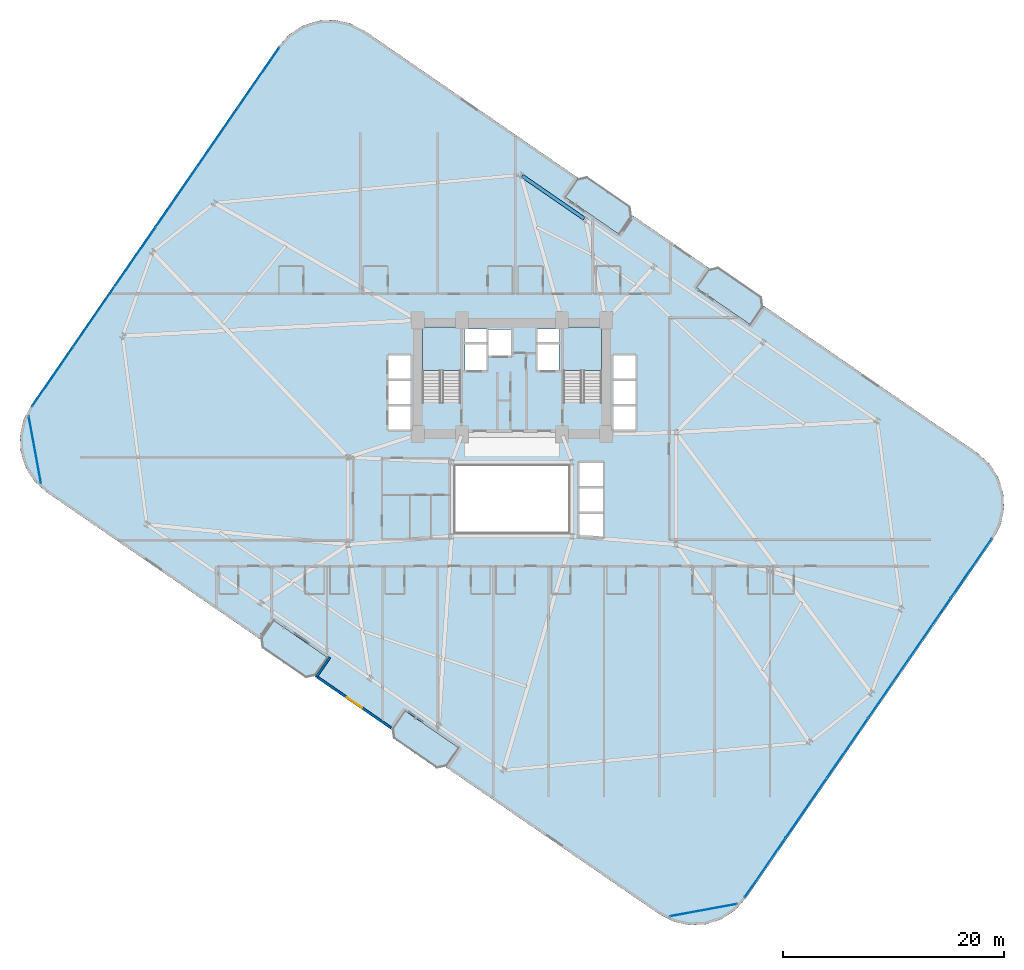
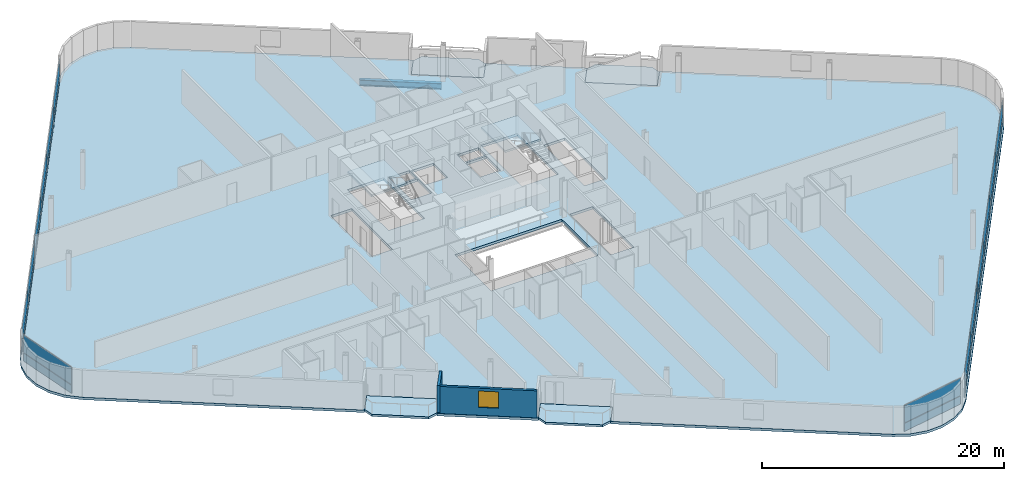
# One storey, part 18 of 27: 28 plates, 7 slabs, 2 walls, 1 beam, 1 window, 1 opening, 6 elements without a shape of their own.
"""IFC4 building model written with IfcOpenShell, lengths in metres."""

from ifc_helpers import new_model, si_unit, direction, frame, frame_2d, origin, origin_2d, place, context, subcontext, project, spatial, polyline, rectangle, i_section, outline, extrude, source, transform, mapped, material, layer, layer_set, material_profile, profile_set, type_object, element, fill, aggregate, save


model = new_model("IFC4")

# Units and contexts
model_context = context("Model", 3, precision=1e-05, world=origin(), true_north=direction((0.0, 1.0)))
body_context = subcontext(model_context, "Body", "Model", "MODEL_VIEW")
ifc_project = project(units=[si_unit("LENGTHUNIT", "METRE"), si_unit("AREAUNIT", "SQUARE_METRE"), si_unit("VOLUMEUNIT", "CUBIC_METRE"), si_unit("PLANEANGLEUNIT", "RADIAN"), si_unit("MASSUNIT", "GRAM", prefix="KILO")], contexts=[model_context])

# Site, building, storey
site_placement = place(None, origin())
site = spatial("IfcSite", under=ifc_project, at=site_placement, CompositionType="ELEMENT")
building_placement = place(site_placement, origin())
building = spatial("IfcBuilding", under=site, at=building_placement, Name="Varnelok Gate Tower", CompositionType="ELEMENT")
storey_placement = place(building_placement, frame((0.0, 0.0, 30.699951171875)))
storey = spatial("IfcBuildingStorey", under=building, at=storey_placement, Name="L06", CompositionType="ELEMENT", Elevation=30.699951171875)

# Beam
ifc_material_1 = material(Name="Structural Steel ASTM A992 Grade 50", Category="steel")
ifc_material_profile = material_profile(ifc_material_1, i_section(OverallWidth=0.323974609375, OverallDepth=0.611083984375, WebThickness=0.0126953125, FlangeThickness=0.01904296875, FilletRadius=0.01806640625, at=origin_2d()), Name="W24X104")
ifc_profile_set = profile_set([ifc_material_profile], Name="Structural Steel ASTM A992 Grade 50")
beam_type = type_object("IfcBeamType", Name="BM-SPN-W24X104", PredefinedType="SPANDREL", material=ifc_profile_set)
beam_placement = place(storey_placement, frame((45.708984375, 48.235107421875, -0.555419921875), z_axis=(-0.823553445566, 0.567238681947, 0.0), x_axis=(-0.567238681947, -0.823553445566, 0.0)))
element("IfcBeam", 1, at=beam_placement, inside=storey, type_object=beam_type, Name="L06 Perimeter Spandrel Beam 12", PredefinedType="SPANDREL", context=body_context, shape_type="SweptSolid", body=[
    extrude(i_section(OverallWidth=0.323974609375, OverallDepth=0.611083984375, WebThickness=0.0126953125, FlangeThickness=0.01904296875, FilletRadius=0.01806640625, at=origin_2d()), origin(), (0.0, 0.0, 1.0), 6.7998046875),
])

# Slabs
ifc_material_2 = material(Name="Concrete C45/55", Category="concrete")
ifc_layer_1 = layer(ifc_material_2, 0.219970703125)
ifc_layer_set_1 = layer_set([ifc_layer_1], Name="Concrete C45/55")
slab_type_1 = type_object("IfcSlabType", Name="SLB-BALC-220", PredefinedType="FLOOR", material=ifc_layer_set_1)
slab_1_placement = place(storey_placement, frame((0.0, 0.0, -0.219970703125)))
element("IfcSlab", 2, at=slab_1_placement, inside=storey, type_object=slab_type_1, Name="L06 South Hollow Balcony 1", PredefinedType="FLOOR", context=body_context, shape_type="SweptSolid", body=[
    extrude(outline(polyline([(16.5048828125, 10.3330078125), (16.67138671875, 9.42919921875), (20.5419921875, 6.762939453125), (21.446044921875, 6.929443359375), (22.58056640625, 8.57666015625), (17.639404296875, 11.980224609375), (16.5048828125, 10.3330078125)])), origin(), (0.0, 0.0, 1.0), 0.219970703125),
])
slab_2_placement = place(storey_placement, frame((0.0, 0.0, -0.219970703125)))
element("IfcSlab", 3, at=slab_2_placement, inside=storey, type_object=slab_type_1, Name="L06 South Hollow Balcony 2", PredefinedType="FLOOR", context=body_context, shape_type="SweptSolid", body=[
    extrude(outline(polyline([(28.36376953125, 2.164306640625), (28.5302734375, 1.260498046875), (32.40087890625, -1.40576171875), (33.304931640625, -1.2392578125), (34.439453125, 0.407958984375), (29.498291015625, 3.8115234375), (28.36376953125, 2.164306640625)])), origin(), (0.0, 0.0, 1.0), 0.219970703125),
])
slab_3_placement = place(storey_placement, frame((0.0, 0.0, -0.219970703125)))
element("IfcSlab", 4, at=slab_3_placement, inside=storey, type_object=slab_type_1, Name="L06 North Hollow Balcony 1", PredefinedType="FLOOR", context=body_context, shape_type="SweptSolid", body=[
    extrude(outline(polyline([(43.960693359375, 50.192138671875), (48.90185546875, 46.78857421875), (50.036376953125, 48.435546875), (49.869873046875, 49.339599609375), (45.999267578125, 52.005615234375), (45.09521484375, 51.839111328125), (43.960693359375, 50.192138671875)])), origin(), (0.0, 0.0, 1.0), 0.219970703125),
])
slab_4_placement = place(storey_placement, frame((0.0, 0.0, -0.219970703125)))
element("IfcSlab", 5, at=slab_4_placement, inside=storey, type_object=slab_type_1, Name="L06 North Hollow Balcony 2", PredefinedType="FLOOR", context=body_context, shape_type="SweptSolid", body=[
    extrude(outline(polyline([(55.819580078125, 42.0234375), (60.7607421875, 38.619873046875), (61.895263671875, 40.266845703125), (61.728515625, 41.1708984375), (57.85791015625, 43.837158203125), (56.9541015625, 43.67041015625), (55.819580078125, 42.0234375)])), origin(), (0.0, 0.0, 1.0), 0.219970703125),
])

# Stair, slab
ifc_material_3 = material(Name="Concrete C50/60", Category="concrete")
stair_type = type_object("IfcStairType", Name="STR-CORE-1650", PredefinedType="HALF_TURN_STAIR", material=ifc_material_3)
stair_1_placement = place(storey_placement, origin())
stair_1 = element("IfcStair", 6, at=stair_1_placement, inside=storey, type_object=stair_type, Name="L06 Exit Stair ST-1", PredefinedType="HALF_TURN_STAIR")
ifc_layer_2 = layer(ifc_material_2, 0.199951171875)
ifc_layer_set_2 = layer_set([ifc_layer_2], Name="Concrete C45/55")
slab_type_2 = type_object("IfcSlabType", Name="SLB-LAND-200", PredefinedType="LANDING", material=ifc_layer_set_2)
slab_5_placement = place(storey_placement, frame((0.0, 0.0, 1.650146484375)))
slab_5 = element("IfcSlab", 7, at=slab_5_placement, type_object=slab_type_2, Name="ST-1 landing 1", PredefinedType="LANDING", context=body_context, shape_type="SweptSolid", body=[
    extrude(outline(polyline([(34.550048828125, 34.5), (34.550048828125, 38.449951171875), (31.10009765625, 38.449951171875), (31.10009765625, 34.5), (34.550048828125, 34.5)])), origin(), (0.0, 0.0, 1.0), 0.199951171875),
])
aggregate(stair_1, [slab_5])

stair_2_placement = place(storey_placement, origin())
stair_2 = element("IfcStair", 8, at=stair_2_placement, inside=storey, type_object=stair_type, Name="L06 Exit Stair ST-2", PredefinedType="HALF_TURN_STAIR")
slab_6_placement = place(storey_placement, frame((0.0, 0.0, 1.650146484375)))
slab_6 = element("IfcSlab", 9, at=slab_6_placement, type_object=slab_type_2, Name="ST-2 landing 1", PredefinedType="LANDING", context=body_context, shape_type="SweptSolid", body=[
    extrude(outline(polyline([(47.300048828125, 34.5), (47.300048828125, 38.449951171875), (43.85009765625, 38.449951171875), (43.85009765625, 34.5), (47.300048828125, 34.5)])), origin(), (0.0, 0.0, 1.0), 0.199951171875),
])
aggregate(stair_2, [slab_6])

# Slab
ifc_layer_3 = layer(ifc_material_3, 0.25)
ifc_layer_set_3 = layer_set([ifc_layer_3], Name="Concrete C50/60")
slab_type_3 = type_object("IfcSlabType", Name="SLB-TYP-250", PredefinedType="FLOOR", material=ifc_layer_set_3)
slab_7_placement = place(storey_placement, frame((0.0, 0.0, -0.25)))
element("IfcSlab", 10, at=slab_7_placement, inside=storey, type_object=slab_type_3, Name="L06 Structural Floor Slab", PredefinedType="FLOOR", context=body_context, shape_type="SweptSolid", body=[
    extrude(outline(polyline([(-4.2578125, 31.3134765625), (-4.922607421875, 30.011474609375), (-5.22802734375, 28.581787109375), (-5.1533203125, 27.121826171875), (-4.702880859375, 25.731201171875), (-3.907958984375, 24.504150390625), (-2.822509765625, 23.52490234375), (7.7734375, 16.22607421875), (16.447998046875, 10.250732421875), (17.639404296875, 11.980224609375), (22.58056640625, 8.57666015625), (21.389404296875, 6.84716796875), (28.306884765625, 2.08203125), (29.498291015625, 3.8115234375), (34.439453125, 0.407958984375), (33.248046875, -1.321533203125), (41.922607421875, -7.296875), (52.518798828125, -14.595703125), (53.82080078125, -15.2607421875), (55.250244140625, -15.566162109375), (56.710205078125, -15.4912109375), (58.10107421875, -15.040771484375), (59.327880859375, -14.245849609375), (60.307373046875, -13.160400390625), (82.65771484375, 19.28662109375), (83.32275390625, 20.58837890625), (83.628173828125, 22.018310546875), (83.55322265625, 23.47802734375), (83.102783203125, 24.868896484375), (82.30810546875, 26.095703125), (81.22265625, 27.0751953125), (70.62646484375, 34.3740234375), (61.951904296875, 40.34912109375), (60.7607421875, 38.619873046875), (55.819580078125, 42.0234375), (57.0107421875, 43.752685546875), (50.093017578125, 48.517822265625), (48.90185546875, 46.78857421875), (43.960693359375, 50.192138671875), (45.15185546875, 51.92138671875), (36.477294921875, 57.896728515625), (25.881103515625, 65.195556640625), (24.579345703125, 65.860595703125), (23.149658203125, 66.166015625), (21.689697265625, 66.091064453125), (20.299072265625, 65.640869140625), (19.072021484375, 64.845947265625), (18.0927734375, 63.760498046875), (-4.2578125, 31.3134765625)]), holes=[polyline([(34.550048828125, 31.679931640625), (34.550048828125, 38.449951171875), (31.10009765625, 38.449951171875), (31.10009765625, 31.679931640625), (34.550048828125, 31.679931640625)]), polyline([(47.300048828125, 31.679931640625), (47.300048828125, 38.449951171875), (43.85009765625, 38.449951171875), (43.85009765625, 31.679931640625), (47.300048828125, 31.679931640625)]), polyline([(34.949951171875, 34.550048828125), (36.89990234375, 34.550048828125), (36.89990234375, 36.89990234375), (34.949951171875, 36.89990234375), (34.949951171875, 34.550048828125)]), polyline([(41.5, 34.550048828125), (43.449951171875, 34.550048828125), (43.449951171875, 36.89990234375), (41.5, 36.89990234375), (41.5, 34.550048828125)]), polyline([(37.050048828125, 35.85009765625), (39.14990234375, 35.85009765625), (39.14990234375, 38.199951171875), (37.050048828125, 38.199951171875), (37.050048828125, 35.85009765625)]), polyline([(28.050048828125, 29.14990234375), (30.050048828125, 29.14990234375), (30.050048828125, 35.89990234375), (28.050048828125, 35.89990234375), (28.050048828125, 29.14990234375)]), polyline([(48.35009765625, 29.14990234375), (50.35009765625, 29.14990234375), (50.35009765625, 35.89990234375), (48.35009765625, 35.89990234375), (48.35009765625, 29.14990234375)]), polyline([(45.25, 19.449951171875), (47.449951171875, 19.449951171875), (47.449951171875, 26.199951171875), (45.25, 26.199951171875), (45.25, 19.449951171875)]), polyline([(34.919921875, 37.080078125), (36.89990234375, 37.080078125), (36.89990234375, 38.280029296875), (34.919921875, 38.280029296875), (34.919921875, 37.080078125)]), polyline([(41.5, 37.080078125), (43.47998046875, 37.080078125), (43.47998046875, 38.280029296875), (41.5, 38.280029296875), (41.5, 37.080078125)]), polyline([(34.10009765625, 19.89990234375), (44.300048828125, 19.89990234375), (44.300048828125, 25.89990234375), (34.10009765625, 25.89990234375), (34.10009765625, 19.89990234375)])]), origin(), (0.0, 0.0, 1.0), 0.25),
])

# Curtain wall, plates
ifc_material_4 = material(Name="Anodized Aluminum Alloy 6063-T6", Category="aluminium")
ifc_layer_4 = layer(ifc_material_4, 0.179931640625)
ifc_layer_set_4 = layer_set([ifc_layer_4], Name="Anodized Aluminum Alloy 6063-T6")
curtain_wall_type_1 = type_object("IfcCurtainWallType", Name="CW3-HOTEL-VISION", PredefinedType="USERDEFINED", material=ifc_layer_set_4)
curtain_wall_1_placement = place(storey_placement, origin())
curtain_wall_1 = element("IfcCurtainWall", 11, at=curtain_wall_1_placement, inside=storey, type_object=curtain_wall_type_1, Name="L06 West End Vision Curtain Wall", ObjectType="UNITISED CURTAIN WALL", PredefinedType="USERDEFINED")
ifc_material_5 = material(Name="Low-E Laminated Double Glazing IGU", Category="glass")
ifc_layer_5 = layer(ifc_material_5, 0.031982421875)
ifc_layer_set_5 = layer_set([ifc_layer_5], Name="Low-E Laminated Double Glazing IGU")
plate_type_1 = type_object("IfcPlateType", Name="CW-PNL-IGU32", PredefinedType="CURTAIN_PANEL", material=ifc_layer_set_5)
shared_shape_1 = source(origin(), body_context, "Body", "SweptSolid", [
    extrude(rectangle(XDim=6.46923828125, YDim=0.031982421875, at=origin_2d()), origin(), (0.0, 0.0, 1.0), 0.802490234375),
])
plate_1_placement = place(storey_placement, frame((-2.270751953125, 33.951171875, 0.06494140625), z_axis=(0.0, 0.0, 1.0), x_axis=(0.567268822124, 0.823532685111, 0.0)))
plate_1 = element("IfcPlate", 12, at=plate_1_placement, type_object=plate_type_1, Name="CW3 panel 1.1", PredefinedType="CURTAIN_PANEL", context=body_context, shape_type="MappedRepresentation", body=[
    mapped(shared_shape_1, transform((0.0, 0.0, 0.0), scale=1.0)),
])
plate_2_placement = place(storey_placement, frame((16.336181640625, 60.9638671875, 0.06494140625), z_axis=(0.0, 0.0, 1.0), x_axis=(0.567268822124, 0.823532685111, 0.0)))
plate_2 = element("IfcPlate", 13, at=plate_2_placement, type_object=plate_type_1, Name="CW3 panel 6.1", PredefinedType="CURTAIN_PANEL", context=body_context, shape_type="MappedRepresentation", body=[
    mapped(shared_shape_1, transform((0.0, 0.0, 0.0), scale=1.0)),
])

curtain_wall_2_placement = place(storey_placement, origin())
curtain_wall_2 = element("IfcCurtainWall", 14, at=curtain_wall_2_placement, inside=storey, type_object=curtain_wall_type_1, Name="L06 East End Vision Curtain Wall", ObjectType="UNITISED CURTAIN WALL", PredefinedType="USERDEFINED")
plate_3_placement = place(storey_placement, frame((80.670654296875, 16.648681640625, 0.06494140625), z_axis=(0.0, 0.0, 1.0), x_axis=(-0.567268822124, -0.823532685111, 0.0)))
plate_3 = element("IfcPlate", 15, at=plate_3_placement, type_object=plate_type_1, Name="CW3 panel 1.1", PredefinedType="CURTAIN_PANEL", context=body_context, shape_type="MappedRepresentation", body=[
    mapped(shared_shape_1, transform((0.0, 0.0, 0.0), scale=1.0)),
])
plate_4_placement = place(storey_placement, frame((62.063720703125, -10.36376953125, 0.06494140625), z_axis=(0.0, 0.0, 1.0), x_axis=(-0.567268822124, -0.823532685111, 0.0)))
plate_4 = element("IfcPlate", 16, at=plate_4_placement, type_object=plate_type_1, Name="CW3 panel 6.1", PredefinedType="CURTAIN_PANEL", context=body_context, shape_type="MappedRepresentation", body=[
    mapped(shared_shape_1, transform((0.0, 0.0, 0.0), scale=1.0)),
])

# Plate
shared_shape_2 = source(origin(), body_context, "Body", "SweptSolid", [
    extrude(rectangle(XDim=6.46923828125, YDim=0.031982421875, at=origin_2d()), origin(), (0.0, 0.0, 1.0), 1.732421875),
])
plate_5_placement = place(storey_placement, frame((-2.270751953125, 33.951171875, 0.9326171875), z_axis=(0.0, 0.0, 1.0), x_axis=(0.567268822124, 0.823532685111, 0.0)))
plate_5 = element("IfcPlate", 17, at=plate_5_placement, type_object=plate_type_1, Name="CW3 panel 1.2", PredefinedType="CURTAIN_PANEL", context=body_context, shape_type="MappedRepresentation", body=[
    mapped(shared_shape_2, transform((0.0, 0.0, 0.0), scale=1.0)),
])

plate_6_placement = place(storey_placement, frame((16.336181640625, 60.9638671875, 0.9326171875), z_axis=(0.0, 0.0, 1.0), x_axis=(0.567268822124, 0.823532685111, 0.0)))
plate_6 = element("IfcPlate", 18, at=plate_6_placement, type_object=plate_type_1, Name="CW3 panel 6.2", PredefinedType="CURTAIN_PANEL", context=body_context, shape_type="MappedRepresentation", body=[
    mapped(shared_shape_2, transform((0.0, 0.0, 0.0), scale=1.0)),
])

plate_7_placement = place(storey_placement, frame((80.670654296875, 16.648681640625, 0.9326171875), z_axis=(0.0, 0.0, 1.0), x_axis=(-0.567268822124, -0.823532685111, 0.0)))
plate_7 = element("IfcPlate", 19, at=plate_7_placement, type_object=plate_type_1, Name="CW3 panel 1.2", PredefinedType="CURTAIN_PANEL", context=body_context, shape_type="MappedRepresentation", body=[
    mapped(shared_shape_2, transform((0.0, 0.0, 0.0), scale=1.0)),
])

plate_8_placement = place(storey_placement, frame((62.063720703125, -10.36376953125, 0.9326171875), z_axis=(0.0, 0.0, 1.0), x_axis=(-0.567268822124, -0.823532685111, 0.0)))
plate_8 = element("IfcPlate", 20, at=plate_8_placement, type_object=plate_type_1, Name="CW3 panel 6.2", PredefinedType="CURTAIN_PANEL", context=body_context, shape_type="MappedRepresentation", body=[
    mapped(shared_shape_2, transform((0.0, 0.0, 0.0), scale=1.0)),
])

shared_shape_3 = source(origin(), body_context, "Body", "SweptSolid", [
    extrude(rectangle(XDim=6.501708984375, YDim=0.031982421875, at=origin_2d()), origin(), (0.0, 0.0, 1.0), 0.802490234375),
])
plate_9_placement = place(storey_placement, frame((1.4453125, 39.345703125, 0.06494140625), z_axis=(0.0, 0.0, 1.0), x_axis=(0.567268822124, 0.823532685111, 0.0)))
plate_9 = element("IfcPlate", 21, at=plate_9_placement, type_object=plate_type_1, Name="CW3 panel 2.1", PredefinedType="CURTAIN_PANEL", context=body_context, shape_type="MappedRepresentation", body=[
    mapped(shared_shape_3, transform((0.0, 0.0, 0.0), scale=1.0)),
])

plate_10_placement = place(storey_placement, frame((5.170166015625, 44.753662109375, 0.06494140625), z_axis=(0.0, 0.0, 1.0), x_axis=(0.567268822124, 0.823532685111, 0.0)))
plate_10 = element("IfcPlate", 22, at=plate_10_placement, type_object=plate_type_1, Name="CW3 panel 3.1", PredefinedType="CURTAIN_PANEL", context=body_context, shape_type="MappedRepresentation", body=[
    mapped(shared_shape_3, transform((0.0, 0.0, 0.0), scale=1.0)),
])

plate_11_placement = place(storey_placement, frame((8.895263671875, 50.161376953125, 0.06494140625), z_axis=(0.0, 0.0, 1.0), x_axis=(0.567268822124, 0.823532685111, 0.0)))
plate_11 = element("IfcPlate", 23, at=plate_11_placement, type_object=plate_type_1, Name="CW3 panel 4.1", PredefinedType="CURTAIN_PANEL", context=body_context, shape_type="MappedRepresentation", body=[
    mapped(shared_shape_3, transform((0.0, 0.0, 0.0), scale=1.0)),
])

plate_12_placement = place(storey_placement, frame((12.620361328125, 55.5693359375, 0.06494140625), z_axis=(0.0, 0.0, 1.0), x_axis=(0.567268822124, 0.823532685111, 0.0)))
plate_12 = element("IfcPlate", 24, at=plate_12_placement, type_object=plate_type_1, Name="CW3 panel 5.1", PredefinedType="CURTAIN_PANEL", context=body_context, shape_type="MappedRepresentation", body=[
    mapped(shared_shape_3, transform((0.0, 0.0, 0.0), scale=1.0)),
])

plate_13_placement = place(storey_placement, frame((76.954833984375, 11.25439453125, 0.06494140625), z_axis=(0.0, 0.0, 1.0), x_axis=(-0.567268822124, -0.823532685111, 0.0)))
plate_13 = element("IfcPlate", 25, at=plate_13_placement, type_object=plate_type_1, Name="CW3 panel 2.1", PredefinedType="CURTAIN_PANEL", context=body_context, shape_type="MappedRepresentation", body=[
    mapped(shared_shape_3, transform((0.0, 0.0, 0.0), scale=1.0)),
])

plate_14_placement = place(storey_placement, frame((73.229736328125, 5.846435546875, 0.06494140625), z_axis=(0.0, 0.0, 1.0), x_axis=(-0.567268822124, -0.823532685111, 0.0)))
plate_14 = element("IfcPlate", 26, at=plate_14_placement, type_object=plate_type_1, Name="CW3 panel 3.1", PredefinedType="CURTAIN_PANEL", context=body_context, shape_type="MappedRepresentation", body=[
    mapped(shared_shape_3, transform((0.0, 0.0, 0.0), scale=1.0)),
])

plate_15_placement = place(storey_placement, frame((69.504638671875, 0.4384765625, 0.06494140625), z_axis=(0.0, 0.0, 1.0), x_axis=(-0.567268822124, -0.823532685111, 0.0)))
plate_15 = element("IfcPlate", 27, at=plate_15_placement, type_object=plate_type_1, Name="CW3 panel 4.1", PredefinedType="CURTAIN_PANEL", context=body_context, shape_type="MappedRepresentation", body=[
    mapped(shared_shape_3, transform((0.0, 0.0, 0.0), scale=1.0)),
])

plate_16_placement = place(storey_placement, frame((65.779541015625, -4.96923828125, 0.06494140625), z_axis=(0.0, 0.0, 1.0), x_axis=(-0.567268822124, -0.823532685111, 0.0)))
plate_16 = element("IfcPlate", 28, at=plate_16_placement, type_object=plate_type_1, Name="CW3 panel 5.1", PredefinedType="CURTAIN_PANEL", context=body_context, shape_type="MappedRepresentation", body=[
    mapped(shared_shape_3, transform((0.0, 0.0, 0.0), scale=1.0)),
])

shared_shape_4 = source(origin(), body_context, "Body", "SweptSolid", [
    extrude(rectangle(XDim=6.501708984375, YDim=0.031982421875, at=origin_2d()), origin(), (0.0, 0.0, 1.0), 1.732421875),
])
plate_17_placement = place(storey_placement, frame((1.4453125, 39.345703125, 0.9326171875), z_axis=(0.0, 0.0, 1.0), x_axis=(0.567268822124, 0.823532685111, 0.0)))
plate_17 = element("IfcPlate", 29, at=plate_17_placement, type_object=plate_type_1, Name="CW3 panel 2.2", PredefinedType="CURTAIN_PANEL", context=body_context, shape_type="MappedRepresentation", body=[
    mapped(shared_shape_4, transform((0.0, 0.0, 0.0), scale=1.0)),
])

plate_18_placement = place(storey_placement, frame((5.170166015625, 44.753662109375, 0.9326171875), z_axis=(0.0, 0.0, 1.0), x_axis=(0.567268822124, 0.823532685111, 0.0)))
plate_18 = element("IfcPlate", 30, at=plate_18_placement, type_object=plate_type_1, Name="CW3 panel 3.2", PredefinedType="CURTAIN_PANEL", context=body_context, shape_type="MappedRepresentation", body=[
    mapped(shared_shape_4, transform((0.0, 0.0, 0.0), scale=1.0)),
])

plate_19_placement = place(storey_placement, frame((8.895263671875, 50.161376953125, 0.9326171875), z_axis=(0.0, 0.0, 1.0), x_axis=(0.567268822124, 0.823532685111, 0.0)))
plate_19 = element("IfcPlate", 31, at=plate_19_placement, type_object=plate_type_1, Name="CW3 panel 4.2", PredefinedType="CURTAIN_PANEL", context=body_context, shape_type="MappedRepresentation", body=[
    mapped(shared_shape_4, transform((0.0, 0.0, 0.0), scale=1.0)),
])

plate_20_placement = place(storey_placement, frame((12.620361328125, 55.5693359375, 0.9326171875), z_axis=(0.0, 0.0, 1.0), x_axis=(0.567268822124, 0.823532685111, 0.0)))
plate_20 = element("IfcPlate", 32, at=plate_20_placement, type_object=plate_type_1, Name="CW3 panel 5.2", PredefinedType="CURTAIN_PANEL", context=body_context, shape_type="MappedRepresentation", body=[
    mapped(shared_shape_4, transform((0.0, 0.0, 0.0), scale=1.0)),
])

aggregate(curtain_wall_1, [plate_1, plate_5, plate_9, plate_17, plate_10, plate_18, plate_11, plate_19, plate_12, plate_20, plate_2, plate_6])

plate_21_placement = place(storey_placement, frame((76.954833984375, 11.25439453125, 0.9326171875), z_axis=(0.0, 0.0, 1.0), x_axis=(-0.567268822124, -0.823532685111, 0.0)))
plate_21 = element("IfcPlate", 33, at=plate_21_placement, type_object=plate_type_1, Name="CW3 panel 2.2", PredefinedType="CURTAIN_PANEL", context=body_context, shape_type="MappedRepresentation", body=[
    mapped(shared_shape_4, transform((0.0, 0.0, 0.0), scale=1.0)),
])

plate_22_placement = place(storey_placement, frame((73.229736328125, 5.846435546875, 0.9326171875), z_axis=(0.0, 0.0, 1.0), x_axis=(-0.567268822124, -0.823532685111, 0.0)))
plate_22 = element("IfcPlate", 34, at=plate_22_placement, type_object=plate_type_1, Name="CW3 panel 3.2", PredefinedType="CURTAIN_PANEL", context=body_context, shape_type="MappedRepresentation", body=[
    mapped(shared_shape_4, transform((0.0, 0.0, 0.0), scale=1.0)),
])

plate_23_placement = place(storey_placement, frame((69.504638671875, 0.4384765625, 0.9326171875), z_axis=(0.0, 0.0, 1.0), x_axis=(-0.567268822124, -0.823532685111, 0.0)))
plate_23 = element("IfcPlate", 35, at=plate_23_placement, type_object=plate_type_1, Name="CW3 panel 4.2", PredefinedType="CURTAIN_PANEL", context=body_context, shape_type="MappedRepresentation", body=[
    mapped(shared_shape_4, transform((0.0, 0.0, 0.0), scale=1.0)),
])

plate_24_placement = place(storey_placement, frame((65.779541015625, -4.96923828125, 0.9326171875), z_axis=(0.0, 0.0, 1.0), x_axis=(-0.567268822124, -0.823532685111, 0.0)))
plate_24 = element("IfcPlate", 36, at=plate_24_placement, type_object=plate_type_1, Name="CW3 panel 5.2", PredefinedType="CURTAIN_PANEL", context=body_context, shape_type="MappedRepresentation", body=[
    mapped(shared_shape_4, transform((0.0, 0.0, 0.0), scale=1.0)),
])

aggregate(curtain_wall_2, [plate_3, plate_7, plate_13, plate_21, plate_14, plate_22, plate_15, plate_23, plate_16, plate_24, plate_4, plate_8])

# Curtain wall, plate
ifc_layer_6 = layer(ifc_material_4, 0.179931640625)
ifc_layer_set_6 = layer_set([ifc_layer_6], Name="Anodized Aluminum Alloy 6063-T6")
curtain_wall_type_2 = type_object("IfcCurtainWallType", Name="CW5-WINDCORNER-GLAZ", PredefinedType="USERDEFINED", material=ifc_layer_set_6)
curtain_wall_3_placement = place(storey_placement, origin())
curtain_wall_3 = element("IfcCurtainWall", 37, at=curtain_wall_3_placement, inside=storey, type_object=curtain_wall_type_2, Name="L06 Wind-Shaped Corner Curtain Wall SW", ObjectType="STRUCTURAL GLAZING", PredefinedType="USERDEFINED")
ifc_layer_7 = layer(ifc_material_5, 0.0419921875)
ifc_layer_set_7 = layer_set([ifc_layer_7], Name="Low-E Laminated Double Glazing IGU")
plate_type_2 = type_object("IfcPlateType", Name="CW-PNL-SPN42", PredefinedType="CURTAIN_PANEL", material=ifc_layer_set_7)
shared_shape_5 = source(origin(), body_context, "Body", "SweptSolid", [
    extrude(rectangle(XDim=6.106689453125, YDim=0.0419921875, at=origin_2d()), origin(), (0.0, 0.0, 1.0), 0.802490234375),
])
plate_25_placement = place(storey_placement, frame((-3.880859375, 27.356201171875, 0.06494140625), z_axis=(0.0, 0.0, 1.0), x_axis=(0.181203239917, -0.983445670001, 0.0)))
plate_25 = element("IfcPlate", 38, at=plate_25_placement, type_object=plate_type_2, Name="CW5 panel 1.1", PredefinedType="CURTAIN_PANEL", context=body_context, shape_type="MappedRepresentation", body=[
    mapped(shared_shape_5, transform((0.0, 0.0, 0.0), scale=1.0)),
])

curtain_wall_4_placement = place(storey_placement, origin())
curtain_wall_4 = element("IfcCurtainWall", 39, at=curtain_wall_4_placement, inside=storey, type_object=curtain_wall_type_2, Name="L06 Wind-Shaped Corner Curtain Wall SE", ObjectType="STRUCTURAL GLAZING", PredefinedType="USERDEFINED")
plate_26_placement = place(storey_placement, frame((56.475830078125, -14.21875, 0.06494140625), z_axis=(0.0, 0.0, 1.0), x_axis=(0.983445670001, 0.181203239917, 0.0)))
plate_26 = element("IfcPlate", 40, at=plate_26_placement, type_object=plate_type_2, Name="CW5 panel 1.1", PredefinedType="CURTAIN_PANEL", context=body_context, shape_type="MappedRepresentation", body=[
    mapped(shared_shape_5, transform((0.0, 0.0, 0.0), scale=1.0)),
])

# Plate
shared_shape_6 = source(origin(), body_context, "Body", "SweptSolid", [
    extrude(rectangle(XDim=6.106689453125, YDim=0.0419921875, at=origin_2d()), origin(), (0.0, 0.0, 1.0), 1.732421875),
])
plate_27_placement = place(storey_placement, frame((-3.880859375, 27.356201171875, 0.9326171875), z_axis=(0.0, 0.0, 1.0), x_axis=(0.181203239917, -0.983445670001, 0.0)))
plate_27 = element("IfcPlate", 41, at=plate_27_placement, type_object=plate_type_2, Name="CW5 panel 1.2", PredefinedType="CURTAIN_PANEL", context=body_context, shape_type="MappedRepresentation", body=[
    mapped(shared_shape_6, transform((0.0, 0.0, 0.0), scale=1.0)),
])

aggregate(curtain_wall_3, [plate_25, plate_27])

plate_28_placement = place(storey_placement, frame((56.475830078125, -14.21875, 0.9326171875), z_axis=(0.0, 0.0, 1.0), x_axis=(0.983445670001, 0.181203239917, 0.0)))
plate_28 = element("IfcPlate", 42, at=plate_28_placement, type_object=plate_type_2, Name="CW5 panel 1.2", PredefinedType="CURTAIN_PANEL", context=body_context, shape_type="MappedRepresentation", body=[
    mapped(shared_shape_6, transform((0.0, 0.0, 0.0), scale=1.0)),
])

aggregate(curtain_wall_4, [plate_26, plate_28])

# Wall
ifc_layer_8 = layer(ifc_material_2, 0.219970703125)
ifc_layer_set_8 = layer_set([ifc_layer_8], Name="Concrete C45/55")
wall_type = type_object("IfcWallType", Name="EW-BALC-220", PredefinedType="SOLIDWALL", material=ifc_layer_set_8)
wall_1_placement = place(storey_placement, frame((22.747314453125, 8.607421875, 0.0), z_axis=(0.0, 0.0, 1.0), x_axis=(-0.567219383419, -0.823566737474, 0.0)))
element("IfcWall", 43, at=wall_1_placement, inside=storey, type_object=wall_type, Name="L06 Perimeter Facade Closure Wall 9", PredefinedType="SOLIDWALL", context=body_context, shape_type="SweptSolid", body=[
    extrude(rectangle(XDim=2.10009765625, YDim=0.219970703125, at=frame_2d((1.050048828125, 0.0))), origin(), (0.0, 0.0, 1.0), 2.72998046875),
])

# Wall, opening, window
wall_2_placement = place(storey_placement, frame((21.6591796875, 6.806884765625, 0.0), z_axis=(0.0, 0.0, 1.0), x_axis=(0.823535360023, -0.567264938799, 0.0)))
wall_2 = element("IfcWall", 44, at=wall_2_placement, inside=storey, type_object=wall_type, Name="L06 Perimeter Facade Closure Wall 10", PredefinedType="SOLIDWALL", context=body_context, shape_type="SweptSolid", body=[
    extrude(rectangle(XDim=8.034912109375, YDim=0.219970703125, at=frame_2d((4.017578125, 0.0))), origin(), (0.0, 0.0, 1.0), 2.72998046875),
])
opening_placement = place(wall_2_placement, frame((3.1923828125, 0.0, 0.800048828125)))
opening = element("IfcOpeningElement", 45, at=opening_placement, cuts=wall_2, Name="Opening WN3", PredefinedType="OPENING", context=body_context, shape_type="SweptSolid", body=[
    extrude(rectangle(XDim=1.64990234375, YDim=1.64990234375, at=frame_2d((0.824951171875, 0.824951171875))), frame((0.0, 0.119873046875, 0.0), z_axis=(0.0, -1.0, 0.0), x_axis=(1.0, 0.0, 0.0)), (0.0, 0.0, 1.0), 0.239990234375),
])
window_type = type_object("IfcWindowType", Name="WN-HTL-1650", PartitioningType="SINGLE_PANEL", PredefinedType="WINDOW", material=ifc_material_5)
window_placement = place(opening_placement, origin())
window = element("IfcWindow", 46, at=window_placement, inside=storey, type_object=window_type, Name="L06 Perimeter Vision Window 10", OverallHeight=1.64990234375, OverallWidth=1.64990234375, PartitioningType="SINGLE_PANEL", PredefinedType="WINDOW", context=body_context, shape_type="SweptSolid", body=[
    extrude(rectangle(XDim=1.64990234375, YDim=1.64990234375, at=frame_2d((0.824951171875, 0.824951171875))), frame((0.0, 0.030029296875, 0.0), z_axis=(0.0, -1.0, 0.0), x_axis=(1.0, 0.0, 0.0)), (0.0, 0.0, 1.0), 0.06005859375),
])
fill(opening, window)

save(model, "model.ifc")
